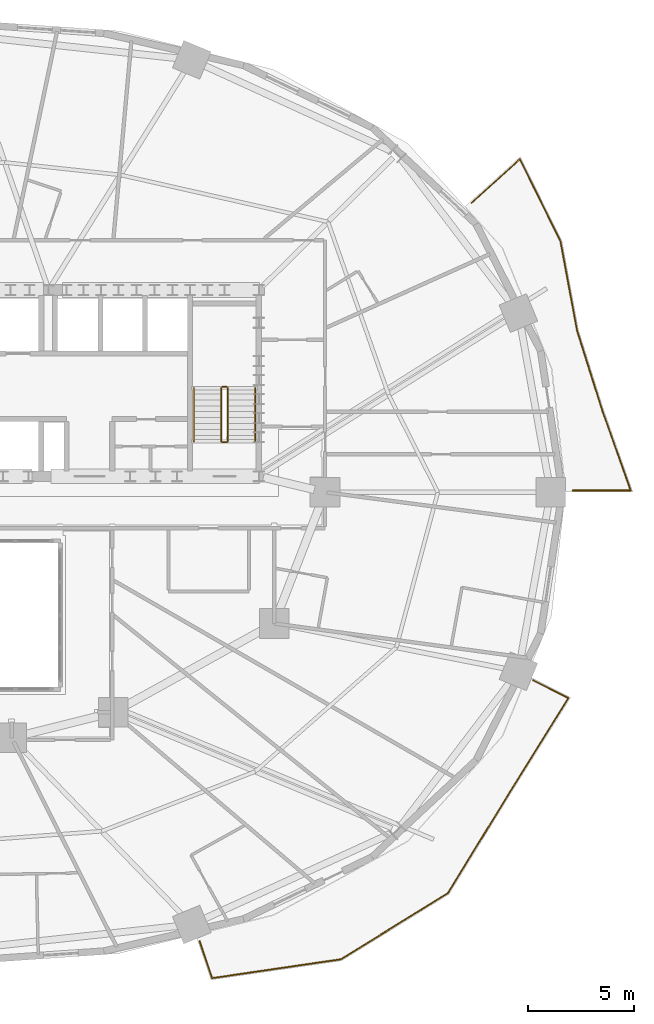
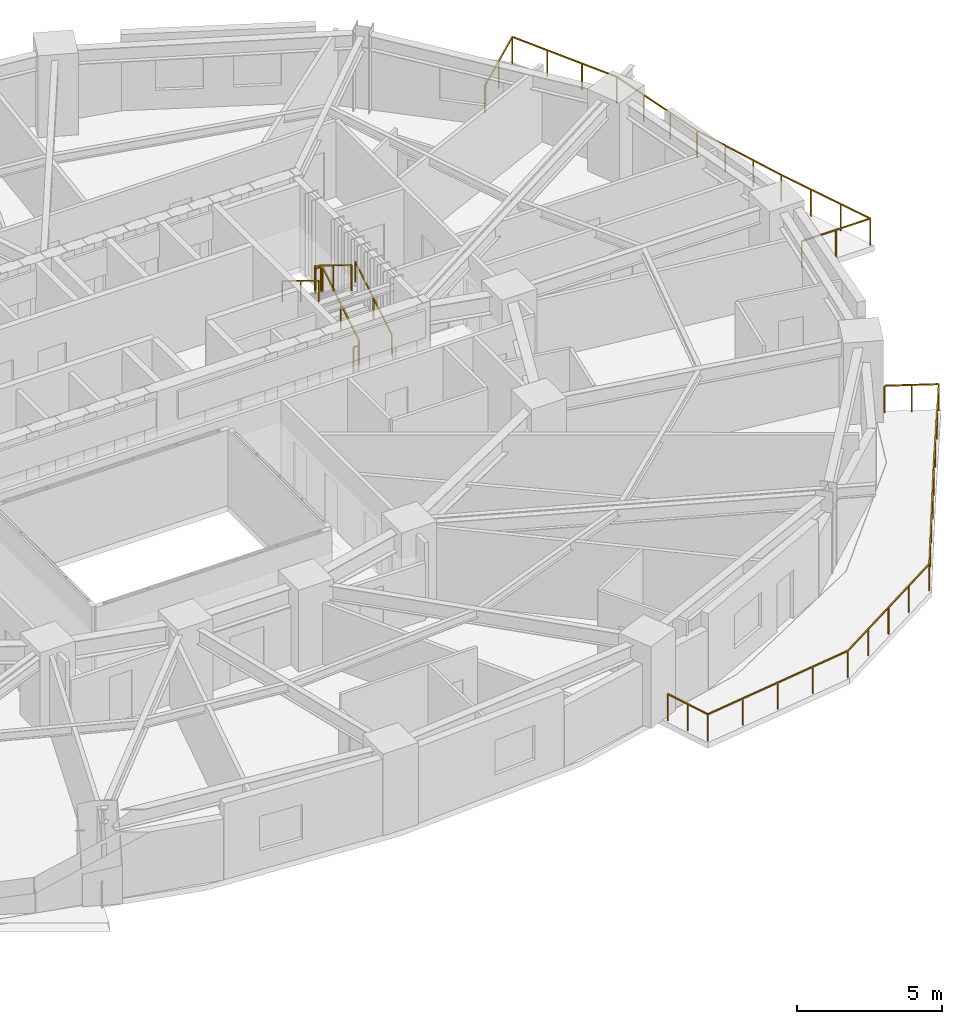
# One storey, part 15 of 15: 8 railings.
"""IFC4 building model written with IfcOpenShell, lengths in metres."""

import ifcopenshell
import ifcopenshell.guid

model = None  # the IFC model being written
_history = None  # IfcOwnerHistory: only IFC2X3 demands one
_inside = {}  # id of a spatial element -> (the spatial element, [elements in it])
_under = {}  # id of a project, library or spatial element -> (it, [spatial elements below it])
_declared = {}  # id of a project -> (the project, [libraries it declares])
_typed = {}  # id of a type object -> (the type object, [elements of that type])
_made_of = {}  # id of a material, layer set ... -> (it, [elements and type objects made of it])


def new_model(schema):
    """Start an empty IFC model of exactly this schema.

    Asked for "IFC4X3", IfcOpenShell would pick the latest addendum, in which some entities
    have other attributes; the version numbers below select the first issue.
    IFC2X3 requires an IfcOwnerHistory on every rooted entity: one is made here for all.
    """
    global model, _history
    if schema == "IFC4X3":
        model = ifcopenshell.file(schema_version=(4, 3, 0, 0))
    else:
        model = ifcopenshell.file(schema=schema)
    _inside.clear()
    _under.clear()
    _declared.clear()
    _typed.clear()
    _made_of.clear()
    _history = None
    if model.schema == "IFC2X3":
        org = make("IfcOrganization", Name="unknown")
        user = make(
            "IfcPersonAndOrganization",
            ThePerson=make("IfcPerson", FamilyName="unknown"),
            TheOrganization=org,
        )
        app = make(
            "IfcApplication",
            ApplicationDeveloper=org,
            Version="unknown",
            ApplicationFullName="unknown",
            ApplicationIdentifier="unknown",
        )
        _history = make(
            "IfcOwnerHistory",
            OwningUser=user,
            OwningApplication=app,
            ChangeAction="ADDED",
            CreationDate=0,
        )
    return model


def make(cls, **values):
    """One entity of the class cls with the attributes given. An attribute that is None is left unset."""
    return model.create_entity(
        cls, **{name: value for name, value in values.items() if value is not None}
    )


def rooted(cls, **values):
    """An entity with a GlobalId (a new one), such as an element, a storey or a relation."""
    return make(cls, GlobalId=ifcopenshell.guid.new(), OwnerHistory=_history, **values)


def si_unit(unit_type, name, prefix=None):
    """IfcSIUnit, for example si_unit("LENGTHUNIT", "METRE", prefix="MILLI")."""
    return make("IfcSIUnit", UnitType=unit_type, Prefix=prefix, Name=name)


def assignment(units):
    """IfcUnitAssignment: the units of a project."""
    return None if units is None else make("IfcUnitAssignment", Units=units)


def point(xyz):
    """IfcCartesianPoint."""
    return None if xyz is None else make("IfcCartesianPoint", Coordinates=xyz)


def direction(xyz):
    """IfcDirection."""
    return None if xyz is None else make("IfcDirection", DirectionRatios=xyz)


def frame(location, z_axis=None, x_axis=None):
    """IfcAxis2Placement3D, a coordinate frame: its origin and axes. An axis left out is left unset."""
    return make(
        "IfcAxis2Placement3D",
        Location=point(location),
        Axis=direction(z_axis),
        RefDirection=direction(x_axis),
    )


def frame_2d(location, x_axis=None):
    """IfcAxis2Placement2D, a coordinate frame in the plane: its origin and x axis."""
    return make(
        "IfcAxis2Placement2D", Location=point(location), RefDirection=direction(x_axis)
    )


def origin():
    """The frame at (0, 0, 0) with its axes left unset."""
    return frame((0.0, 0.0, 0.0))


def origin_2d():
    """The frame at (0, 0) in the plane with its x axis left unset."""
    return frame_2d((0.0, 0.0))


def place(relative_to, where):
    """IfcLocalPlacement: puts the frame where relative to a parent placement (None: the world)."""
    return make(
        "IfcLocalPlacement", PlacementRelTo=relative_to, RelativePlacement=where
    )


def context(
    kind, dimensions, precision=None, world=None, true_north=None, identifier=None
):
    """IfcGeometricRepresentationContext, for example the 3D "Model" context."""
    return make(
        "IfcGeometricRepresentationContext",
        ContextIdentifier=identifier,
        ContextType=kind,
        CoordinateSpaceDimension=dimensions,
        Precision=precision,
        WorldCoordinateSystem=world,
        TrueNorth=true_north,
    )


def subcontext(parent, identifier, kind, view, scale=None):
    """IfcGeometricRepresentationSubContext, for example "Body" below "Model"."""
    return make(
        "IfcGeometricRepresentationSubContext",
        ContextIdentifier=identifier,
        ContextType=kind,
        ParentContext=parent,
        TargetScale=scale,
        TargetView=view,
    )


def project(units=None, contexts=None):
    """IfcProject with its units and contexts."""
    return rooted(
        "IfcProject",
        Name="project",
        RepresentationContexts=contexts,
        UnitsInContext=assignment(units),
    )


def spatial(cls, under=None, at=None, **own):
    """A site, building, storey or space (cls), placed at a placement, below another one or the project."""
    s = rooted(cls, ObjectPlacement=at, **own)
    if under is not None:
        _under.setdefault(under.id(), (under, []))[1].append(s)
    return s


def profile(cls, at=None, kind="AREA", **sizes):
    """A parametric profile (cls). Its sizes go by their IFC names, for example OverallWidth=200.0."""
    return make(cls, ProfileType=kind, Position=at, **sizes)


def rectangle(**sizes):
    """IfcRectangleProfileDef."""
    return profile("IfcRectangleProfileDef", **sizes)


def extrude(swept, where, along, depth):
    """IfcExtrudedAreaSolid: the profile swept, set in the frame where, extruded along a direction by depth."""
    return make(
        "IfcExtrudedAreaSolid",
        SweptArea=swept,
        Position=where,
        ExtrudedDirection=direction(along),
        Depth=depth,
    )


def shape(context_of_items, identifier, shape_type, items):
    """IfcShapeRepresentation: the items that make up one representation, for example the "Body"."""
    return make(
        "IfcShapeRepresentation",
        ContextOfItems=context_of_items,
        RepresentationIdentifier=identifier,
        RepresentationType=shape_type,
        Items=items,
    )


def material(Name=None, Category=None):
    """IfcMaterial."""
    return make("IfcMaterial", Name=Name, Category=Category)


def made_of(thing, what):
    """Note that an element or type object is made of a material, layer set ...; save() writes the relation."""
    if what is not None:
        _made_of.setdefault(what.id(), (what, []))[1].append(thing)
    return thing


def type_object(cls, material=None, **own):
    """A type object (cls), such as IfcWallType, which elements share."""
    return made_of(rooted(cls, **own), material)


def element(
    cls,
    number,
    at=None,
    inside=None,
    cuts=None,
    type_object=None,
    material=None,
    context=None,
    identifier="Body",
    shape_type=None,
    held_by="IfcProductDefinitionShape",
    body=None,
    shapes=None,
    **own,
):
    """One element of the class cls, such as IfcWall. Its Tag is "e" and its number.

    at: its placement. inside: the storey or other place that contains it. cuts: it is an
    opening in that element (IfcRelVoidsElement). A single representation is given by context,
    identifier, shape_type and body (its items); several are given by shapes. held_by: the class
    of the entity that holds the representations. save() writes the other relations.
    """
    e = rooted(cls, Tag="e%d" % number, ObjectPlacement=at, **own)
    if body is not None:
        shapes = [shape(context, identifier, shape_type, body)]
    if shapes is not None:
        e.Representation = make(held_by, Representations=shapes)
    if inside is not None:
        _inside.setdefault(inside.id(), (inside, []))[1].append(e)
    if cuts is not None:
        rooted(
            "IfcRelVoidsElement", RelatingBuildingElement=cuts, RelatedOpeningElement=e
        )
    if type_object is not None:
        _typed.setdefault(type_object.id(), (type_object, []))[1].append(e)
    return made_of(e, material)


def aggregate(whole, parts):
    """IfcRelAggregates: a whole, such as a stair, and the parts it consists of."""
    return rooted("IfcRelAggregates", RelatingObject=whole, RelatedObjects=parts)


def save(model, path):
    """Write the relations noted so far, then the file.

    IfcRelAggregates (storeys below a building ...), IfcRelContainedInSpatialStructure (elements
    in a storey), IfcRelDefinesByType, IfcRelAssociatesMaterial and IfcRelDeclares: one each for
    every whole, place, type object, material and project.
    """
    for whole, parts in _under.values():
        aggregate(whole, parts)
    for where, things in _inside.values():
        rooted(
            "IfcRelContainedInSpatialStructure",
            RelatedElements=things,
            RelatingStructure=where,
        )
    for kind, things in _typed.values():
        rooted("IfcRelDefinesByType", RelatedObjects=things, RelatingType=kind)
    for what, things in _made_of.values():
        rooted("IfcRelAssociatesMaterial", RelatedObjects=things, RelatingMaterial=what)
    for by, libraries in _declared.values():
        rooted("IfcRelDeclares", RelatingContext=by, RelatedDefinitions=libraries)
    model.write(path)


model = new_model("IFC4")

# Units and contexts
model_context = context("Model", 3, precision=1e-05, world=origin(), true_north=direction((0.0, 1.0)))
body_context = subcontext(model_context, "Body", "Model", "MODEL_VIEW")
ifc_project = project(units=[si_unit("LENGTHUNIT", "METRE"), si_unit("AREAUNIT", "SQUARE_METRE"), si_unit("VOLUMEUNIT", "CUBIC_METRE"), si_unit("PLANEANGLEUNIT", "RADIAN"), si_unit("MASSUNIT", "GRAM", prefix="KILO")], contexts=[model_context])

# Site, building, storey
site_placement = place(None, origin())
site = spatial("IfcSite", under=ifc_project, at=site_placement, CompositionType="ELEMENT")
building_placement = place(site_placement, origin())
building = spatial("IfcBuilding", under=site, at=building_placement, Name="Haldorwick Loom Tower", CompositionType="ELEMENT")
storey_placement = place(building_placement, frame((0.0, 0.0, 85.25)))
storey = spatial("IfcBuildingStorey", under=building, at=storey_placement, Name="L22", CompositionType="ELEMENT", Elevation=85.25)

# Railings
ifc_material_1 = material(Name="Galvanized Steel CSA G40.21 350W", Category="steel")
railing_type_1 = type_object("IfcRailingType", Name="ARC-RLG-BAL115", PredefinedType="BALUSTRADE", material=ifc_material_1)
railing_1_placement = place(storey_placement, frame((63.02783203125, 17.1220703125, 0.0)))
element("IfcRailing", 1, at=railing_1_placement, inside=storey, type_object=railing_type_1, Name="L22 Outdoor Terrace Guardrail SLB-L22-BAL_SE-1", PredefinedType="BALUSTRADE", context=body_context, shape_type="SweptSolid", body=[
    extrude(rectangle(XDim=0.048095703125, YDim=0.048095703125, at=origin_2d()), frame((0.0, 0.0, 1.1259765625), z_axis=(0.890767264221, -0.454459768288, 0.0), x_axis=(0.454459768288, 0.890767264221, 0.0)), (0.0, 0.0, 1.0), 1.869384765625),
    extrude(rectangle(XDim=0.048095703125, YDim=0.048095703125, at=origin_2d()), frame((1.665283203125, -0.849609375, 1.1259765625), z_axis=(-0.529951380913, -0.848028026582, 0.0), x_axis=(0.848028026582, -0.529951380913, 0.0)), (0.0, 0.0, 1.0), 5.075927734375),
    extrude(rectangle(XDim=0.048095703125, YDim=0.048095703125, at=origin_2d()), frame((-1.024658203125, -5.154052734375, 1.1259765625), z_axis=(-0.554700196225, -0.832050294338, 0.0), x_axis=(0.832050294338, -0.554700196225, 0.0)), (0.0, 0.0, 1.0), 0.0009765625),
    extrude(rectangle(XDim=0.048095703125, YDim=0.048095703125, at=origin_2d()), frame((-1.025146484375, -5.15478515625, 1.1259765625), z_axis=(-0.521847154489, -0.853039006935, 0.0), x_axis=(0.853039006935, -0.521847154489, 0.0)), (0.0, 0.0, 1.0), 5.7431640625),
    extrude(rectangle(XDim=0.048095703125, YDim=0.048095703125, at=origin_2d()), frame((-4.022216796875, -10.053955078125, 1.1259765625), z_axis=(-0.850607263174, -0.525801563173, 0.0), x_axis=(0.525801563173, -0.850607263174, 0.0)), (0.0, 0.0, 1.0), 5.943359375),
    extrude(rectangle(XDim=0.048095703125, YDim=0.048095703125, at=origin_2d()), frame((-9.07763671875, -13.178955078125, 1.1259765625), z_axis=(-0.989471467906, -0.144728069844, 0.0), x_axis=(0.144728069844, -0.989471467906, 0.0)), (0.0, 0.0, 1.0), 6.148681640625),
    extrude(rectangle(XDim=0.048095703125, YDim=0.048095703125, at=origin_2d()), frame((-15.16162109375, -14.06884765625, 1.1259765625), z_axis=(-0.320419545488, 0.947275733284, 0.0), x_axis=(-0.947275733284, -0.320419545488, 0.0)), (0.0, 0.0, 1.0), 1.850830078125),
    extrude(rectangle(XDim=0.0419921875, YDim=0.0419921875, at=origin_2d()), origin(), (0.0, 0.0, 1.0), 1.101806640625),
    extrude(rectangle(XDim=0.0419921875, YDim=0.0419921875, at=origin_2d()), frame((0.83251953125, -0.4248046875, 0.0)), (0.0, 0.0, 1.0), 1.101806640625),
    extrude(rectangle(XDim=0.0419921875, YDim=0.0419921875, at=origin_2d()), frame((1.665283203125, -0.849609375, 0.0)), (0.0, 0.0, 1.0), 1.101806640625),
    extrude(rectangle(XDim=0.0419921875, YDim=0.0419921875, at=origin_2d()), frame((0.7685546875, -2.284423828125, 0.0)), (0.0, 0.0, 1.0), 1.101806640625),
    extrude(rectangle(XDim=0.0419921875, YDim=0.0419921875, at=origin_2d()), frame((-0.1279296875, -3.71923828125, 0.0)), (0.0, 0.0, 1.0), 1.101806640625),
    extrude(rectangle(XDim=0.0419921875, YDim=0.0419921875, at=origin_2d()), frame((-1.024658203125, -5.154052734375, 0.0)), (0.0, 0.0, 1.0), 1.101806640625),
    extrude(rectangle(XDim=0.0419921875, YDim=0.0419921875, at=origin_2d()), frame((-1.7744140625, -6.379638671875, 0.0)), (0.0, 0.0, 1.0), 1.101806640625),
    extrude(rectangle(XDim=0.0419921875, YDim=0.0419921875, at=origin_2d()), frame((-2.523681640625, -7.6044921875, 0.0)), (0.0, 0.0, 1.0), 1.101806640625),
    extrude(rectangle(XDim=0.0419921875, YDim=0.0419921875, at=origin_2d()), frame((-3.27294921875, -8.8291015625, 0.0)), (0.0, 0.0, 1.0), 1.101806640625),
    extrude(rectangle(XDim=0.0419921875, YDim=0.0419921875, at=origin_2d()), frame((-4.022216796875, -10.053955078125, 0.0)), (0.0, 0.0, 1.0), 1.101806640625),
    extrude(rectangle(XDim=0.0419921875, YDim=0.0419921875, at=origin_2d()), frame((-5.2861328125, -10.835205078125, 0.0)), (0.0, 0.0, 1.0), 1.101806640625),
    extrude(rectangle(XDim=0.0419921875, YDim=0.0419921875, at=origin_2d()), frame((-6.5498046875, -11.616455078125, 0.0)), (0.0, 0.0, 1.0), 1.101806640625),
    extrude(rectangle(XDim=0.0419921875, YDim=0.0419921875, at=origin_2d()), frame((-7.813720703125, -12.397705078125, 0.0)), (0.0, 0.0, 1.0), 1.101806640625),
    extrude(rectangle(XDim=0.0419921875, YDim=0.0419921875, at=origin_2d()), frame((-9.07763671875, -13.178955078125, 0.0)), (0.0, 0.0, 1.0), 1.101806640625),
    extrude(rectangle(XDim=0.0419921875, YDim=0.0419921875, at=origin_2d()), frame((-10.5986328125, -13.4013671875, 0.0)), (0.0, 0.0, 1.0), 1.101806640625),
    extrude(rectangle(XDim=0.0419921875, YDim=0.0419921875, at=origin_2d()), frame((-12.11962890625, -13.6240234375, 0.0)), (0.0, 0.0, 1.0), 1.101806640625),
    extrude(rectangle(XDim=0.0419921875, YDim=0.0419921875, at=origin_2d()), frame((-13.640625, -13.846435546875, 0.0)), (0.0, 0.0, 1.0), 1.101806640625),
    extrude(rectangle(XDim=0.0419921875, YDim=0.0419921875, at=origin_2d()), frame((-15.16162109375, -14.06884765625, 0.0)), (0.0, 0.0, 1.0), 1.101806640625),
    extrude(rectangle(XDim=0.0419921875, YDim=0.0419921875, at=origin_2d()), frame((-15.4580078125, -13.1923828125, 0.0)), (0.0, 0.0, 1.0), 1.101806640625),
    extrude(rectangle(XDim=0.0419921875, YDim=0.0419921875, at=origin_2d()), frame((-15.754638671875, -12.315673828125, 0.0)), (0.0, 0.0, 1.0), 1.101806640625),
])
railing_2_placement = place(storey_placement, frame((60.114990234375, 39.657470703125, 0.0)))
element("IfcRailing", 2, at=railing_2_placement, inside=storey, type_object=railing_type_1, Name="L22 Outdoor Terrace Guardrail SLB-L22-BAL_ENE-1", PredefinedType="BALUSTRADE", context=body_context, shape_type="SweptSolid", body=[
    extrude(rectangle(XDim=0.048095703125, YDim=0.048095703125, at=origin_2d()), frame((0.0, 0.0, 1.1259765625), z_axis=(0.74150948075, 0.670942389447, 0.0), x_axis=(-0.670942389447, 0.74150948075, 0.0)), (0.0, 0.0, 1.0), 3.0791015625),
    extrude(rectangle(XDim=0.048095703125, YDim=0.048095703125, at=origin_2d()), frame((2.283203125, 2.06591796875, 1.1259765625), z_axis=(0.442955089551, -0.896543801853, 0.0), x_axis=(0.896543801853, 0.442955089551, 0.0)), (0.0, 0.0, 1.0), 4.33935546875),
    extrude(rectangle(XDim=0.048095703125, YDim=0.048095703125, at=origin_2d()), frame((4.205322265625, -1.824462890625, 1.1259765625), z_axis=(0.182501929729, -0.983205495126, 0.0), x_axis=(0.983205495126, 0.182501929729, 0.0)), (0.0, 0.0, 1.0), 4.258056640625),
    extrude(rectangle(XDim=0.048095703125, YDim=0.048095703125, at=origin_2d()), frame((4.982421875, -6.010986328125, 1.1259765625), z_axis=(0.224859506699, -0.974391195695, 0.0), x_axis=(0.974391195695, 0.224859506699, 0.0)), (0.0, 0.0, 1.0), 0.009765625),
    extrude(rectangle(XDim=0.048095703125, YDim=0.048095703125, at=origin_2d()), frame((4.984619140625, -6.0205078125, 1.1259765625), z_axis=(0.300765464188, -0.953698136494, 0.0), x_axis=(0.953698136494, 0.300765464188, 0.0)), (0.0, 0.0, 1.0), 3.927978515625),
    extrude(rectangle(XDim=0.048095703125, YDim=0.048095703125, at=origin_2d()), frame((6.166015625, -9.7666015625, 1.1259765625), z_axis=(0.341743063087, -0.939793423488, 0.0), x_axis=(0.939793423488, 0.341743063087, 0.0)), (0.0, 0.0, 1.0), 0.0029296875),
    extrude(rectangle(XDim=0.048095703125, YDim=0.048095703125, at=origin_2d()), frame((6.1669921875, -9.769287109375, 1.1259765625), z_axis=(0.334314631432, -0.942461525586, 0.0), x_axis=(0.942461525586, 0.334314631432, 0.0)), (0.0, 0.0, 1.0), 4.04052734375),
    extrude(rectangle(XDim=0.048095703125, YDim=0.048095703125, at=origin_2d()), frame((7.517822265625, -13.577392578125, 1.1259765625), z_axis=(-1.0, 0.0, 0.0), x_axis=(0.0, -1.0, 0.0)), (0.0, 0.0, 1.0), 2.73193359375),
    extrude(rectangle(XDim=0.0419921875, YDim=0.0419921875, at=origin_2d()), origin(), (0.0, 0.0, 1.0), 1.101806640625),
    extrude(rectangle(XDim=0.0419921875, YDim=0.0419921875, at=origin_2d()), frame((1.1416015625, 1.032958984375, 0.0)), (0.0, 0.0, 1.0), 1.101806640625),
    extrude(rectangle(XDim=0.0419921875, YDim=0.0419921875, at=origin_2d()), frame((2.283203125, 2.06591796875, 0.0)), (0.0, 0.0, 1.0), 1.101806640625),
    extrude(rectangle(XDim=0.0419921875, YDim=0.0419921875, at=origin_2d()), frame((2.923828125, 0.76904296875, 0.0)), (0.0, 0.0, 1.0), 1.101806640625),
    extrude(rectangle(XDim=0.0419921875, YDim=0.0419921875, at=origin_2d()), frame((3.564697265625, -0.527587890625, 0.0)), (0.0, 0.0, 1.0), 1.101806640625),
    extrude(rectangle(XDim=0.0419921875, YDim=0.0419921875, at=origin_2d()), frame((4.205322265625, -1.824462890625, 0.0)), (0.0, 0.0, 1.0), 1.101806640625),
    extrude(rectangle(XDim=0.0419921875, YDim=0.0419921875, at=origin_2d()), frame((4.46435546875, -3.219970703125, 0.0)), (0.0, 0.0, 1.0), 1.101806640625),
    extrude(rectangle(XDim=0.0419921875, YDim=0.0419921875, at=origin_2d()), frame((4.723388671875, -4.615478515625, 0.0)), (0.0, 0.0, 1.0), 1.101806640625),
    extrude(rectangle(XDim=0.0419921875, YDim=0.0419921875, at=origin_2d()), frame((4.982421875, -6.010986328125, 0.0)), (0.0, 0.0, 1.0), 1.101806640625),
    extrude(rectangle(XDim=0.0419921875, YDim=0.0419921875, at=origin_2d()), frame((5.37841796875, -7.269287109375, 0.0)), (0.0, 0.0, 1.0), 1.101806640625),
    extrude(rectangle(XDim=0.0419921875, YDim=0.0419921875, at=origin_2d()), frame((5.772216796875, -8.517822265625, 0.0)), (0.0, 0.0, 1.0), 1.101806640625),
    extrude(rectangle(XDim=0.0419921875, YDim=0.0419921875, at=origin_2d()), frame((6.166015625, -9.7666015625, 0.0)), (0.0, 0.0, 1.0), 1.101806640625),
    extrude(rectangle(XDim=0.0419921875, YDim=0.0419921875, at=origin_2d()), frame((6.6171875, -11.03857421875, 0.0)), (0.0, 0.0, 1.0), 1.101806640625),
    extrude(rectangle(XDim=0.0419921875, YDim=0.0419921875, at=origin_2d()), frame((7.067626953125, -12.30810546875, 0.0)), (0.0, 0.0, 1.0), 1.101806640625),
    extrude(rectangle(XDim=0.0419921875, YDim=0.0419921875, at=origin_2d()), frame((7.517822265625, -13.577392578125, 0.0)), (0.0, 0.0, 1.0), 1.101806640625),
    extrude(rectangle(XDim=0.0419921875, YDim=0.0419921875, at=origin_2d()), frame((6.15185546875, -13.577392578125, 0.0)), (0.0, 0.0, 1.0), 1.101806640625),
    extrude(rectangle(XDim=0.0419921875, YDim=0.0419921875, at=origin_2d()), frame((4.785888671875, -13.577392578125, 0.0)), (0.0, 0.0, 1.0), 1.101806640625),
])
ifc_material_2 = material(Name="Steel CSA G40.21 350W", Category="steel")
railing_type_2 = type_object("IfcRailingType", Name="ARC-RLG-GUARD112", PredefinedType="GUARDRAIL", material=ifc_material_2)
railing_3_placement = place(storey_placement, frame((48.60009765625, 28.39990234375, 0.172607421875)))
element("IfcRailing", 3, at=railing_3_placement, inside=storey, type_object=railing_type_2, Name="L22 ST-02 stair guard 1", PredefinedType="GUARDRAIL", context=body_context, shape_type="SweptSolid", body=[
    extrude(rectangle(XDim=0.048095703125, YDim=0.048095703125, at=origin_2d()), frame((0.0, 0.0, 1.076171875), z_axis=(0.0, 0.851400495292, 0.524516154772), x_axis=(-1.0, 0.0, 0.0)), (0.0, 0.0, 1.0), 2.9599609375),
    extrude(rectangle(XDim=0.0419921875, YDim=0.0419921875, at=origin_2d()), origin(), (0.0, 0.0, 1.0), 1.052001953125),
    extrude(rectangle(XDim=0.0419921875, YDim=0.0419921875, at=origin_2d()), frame((0.0, 1.260009765625, 0.7763671875)), (0.0, 0.0, 1.0), 1.052001953125),
    extrude(rectangle(XDim=0.0419921875, YDim=0.0419921875, at=origin_2d()), frame((0.0, 2.52001953125, 1.552490234375)), (0.0, 0.0, 1.0), 1.052001953125),
])
railing_4_placement = place(storey_placement, frame((48.550048828125, 30.969970703125, 1.72509765625)))
element("IfcRailing", 4, at=railing_4_placement, inside=storey, type_object=railing_type_2, Name="L22 ST-02 stair guard 2", PredefinedType="GUARDRAIL", context=body_context, shape_type="SweptSolid", body=[
    extrude(rectangle(XDim=0.048095703125, YDim=0.048095703125, at=origin_2d()), frame((0.0, 0.0, 1.076171875), z_axis=(-1.0, 0.0, 0.0), x_axis=(0.0, -1.0, 0.0)), (0.0, 0.0, 1.0), 0.199951171875),
    extrude(rectangle(XDim=0.0419921875, YDim=0.0419921875, at=origin_2d()), origin(), (0.0, 0.0, 1.0), 1.052001953125),
    extrude(rectangle(XDim=0.0419921875, YDim=0.0419921875, at=origin_2d()), frame((-0.199951171875, 0.0, 0.0)), (0.0, 0.0, 1.0), 1.052001953125),
])
railing_5_placement = place(storey_placement, frame((48.300048828125, 30.919921875, 1.8974609375)))
element("IfcRailing", 5, at=railing_5_placement, inside=storey, type_object=railing_type_2, Name="L22 ST-02 stair guard 3", PredefinedType="GUARDRAIL", context=body_context, shape_type="SweptSolid", body=[
    extrude(rectangle(XDim=0.048095703125, YDim=0.048095703125, at=origin_2d()), frame((0.0, 0.0, 1.076171875), z_axis=(0.0, -0.851400495292, 0.524516154772), x_axis=(1.0, 0.0, 0.0)), (0.0, 0.0, 1.0), 2.9599609375),
    extrude(rectangle(XDim=0.0419921875, YDim=0.0419921875, at=origin_2d()), origin(), (0.0, 0.0, 1.0), 1.052001953125),
    extrude(rectangle(XDim=0.0419921875, YDim=0.0419921875, at=origin_2d()), frame((0.0, -1.260009765625, 0.7763671875)), (0.0, 0.0, 1.0), 1.052001953125),
    extrude(rectangle(XDim=0.0419921875, YDim=0.0419921875, at=origin_2d()), frame((0.0, -2.52001953125, 1.552490234375)), (0.0, 0.0, 1.0), 1.052001953125),
])
railing_6_placement = place(storey_placement, frame((48.550048828125, 28.35009765625, 0.0)))
element("IfcRailing", 6, at=railing_6_placement, inside=storey, type_object=railing_type_2, Name="L22 ST-02 stair guard 4", PredefinedType="GUARDRAIL", context=body_context, shape_type="SweptSolid", body=[
    extrude(rectangle(XDim=0.048095703125, YDim=0.048095703125, at=origin_2d()), frame((0.0, 0.0, 1.076171875), z_axis=(-1.0, 0.0, 0.0), x_axis=(0.0, -1.0, 0.0)), (0.0, 0.0, 1.0), 0.199951171875),
    extrude(rectangle(XDim=0.0419921875, YDim=0.0419921875, at=origin_2d()), origin(), (0.0, 0.0, 1.0), 1.052001953125),
    extrude(rectangle(XDim=0.0419921875, YDim=0.0419921875, at=origin_2d()), frame((-0.199951171875, 0.0, 0.0)), (0.0, 0.0, 1.0), 1.052001953125),
])
railing_type_3 = type_object("IfcRailingType", Name="ARC-RLG-HAND092", PredefinedType="HANDRAIL", material=ifc_material_2)
railing_7_placement = place(storey_placement, frame((49.89990234375, 28.39990234375, 0.172607421875)))
element("IfcRailing", 7, at=railing_7_placement, inside=storey, type_object=railing_type_3, Name="L22 ST-02 stair handrail 1", PredefinedType="HANDRAIL", context=body_context, shape_type="SweptSolid", body=[
    extrude(rectangle(XDim=0.048095703125, YDim=0.048095703125, at=origin_2d()), frame((0.0, 0.0, 0.8759765625), z_axis=(0.0, 0.851400495292, 0.524516154772), x_axis=(-1.0, 0.0, 0.0)), (0.0, 0.0, 1.0), 2.9599609375),
    extrude(rectangle(XDim=0.0419921875, YDim=0.0419921875, at=origin_2d()), origin(), (0.0, 0.0, 1.0), 0.851806640625),
    extrude(rectangle(XDim=0.0419921875, YDim=0.0419921875, at=origin_2d()), frame((0.0, 1.260009765625, 0.7763671875)), (0.0, 0.0, 1.0), 0.851806640625),
    extrude(rectangle(XDim=0.0419921875, YDim=0.0419921875, at=origin_2d()), frame((0.0, 2.52001953125, 1.552490234375)), (0.0, 0.0, 1.0), 0.851806640625),
])
railing_8_placement = place(storey_placement, frame((47.0, 30.919921875, 1.8974609375)))
element("IfcRailing", 8, at=railing_8_placement, inside=storey, type_object=railing_type_3, Name="L22 ST-02 stair handrail 2", PredefinedType="HANDRAIL", context=body_context, shape_type="SweptSolid", body=[
    extrude(rectangle(XDim=0.048095703125, YDim=0.048095703125, at=origin_2d()), frame((0.0, 0.0, 0.8759765625), z_axis=(0.0, -0.851400495292, 0.524516154772), x_axis=(1.0, 0.0, 0.0)), (0.0, 0.0, 1.0), 2.9599609375),
    extrude(rectangle(XDim=0.0419921875, YDim=0.0419921875, at=origin_2d()), origin(), (0.0, 0.0, 1.0), 0.851806640625),
    extrude(rectangle(XDim=0.0419921875, YDim=0.0419921875, at=origin_2d()), frame((0.0, -1.260009765625, 0.7763671875)), (0.0, 0.0, 1.0), 0.851806640625),
    extrude(rectangle(XDim=0.0419921875, YDim=0.0419921875, at=origin_2d()), frame((0.0, -2.52001953125, 1.552490234375)), (0.0, 0.0, 1.0), 0.851806640625),
])

save(model, "model.ifc")
